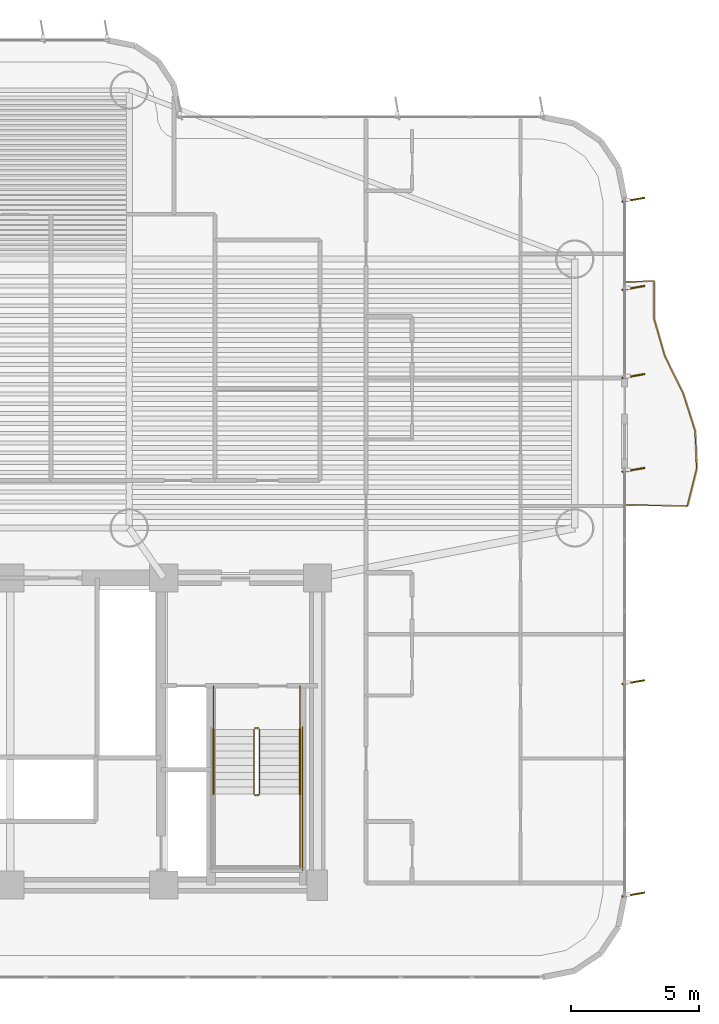
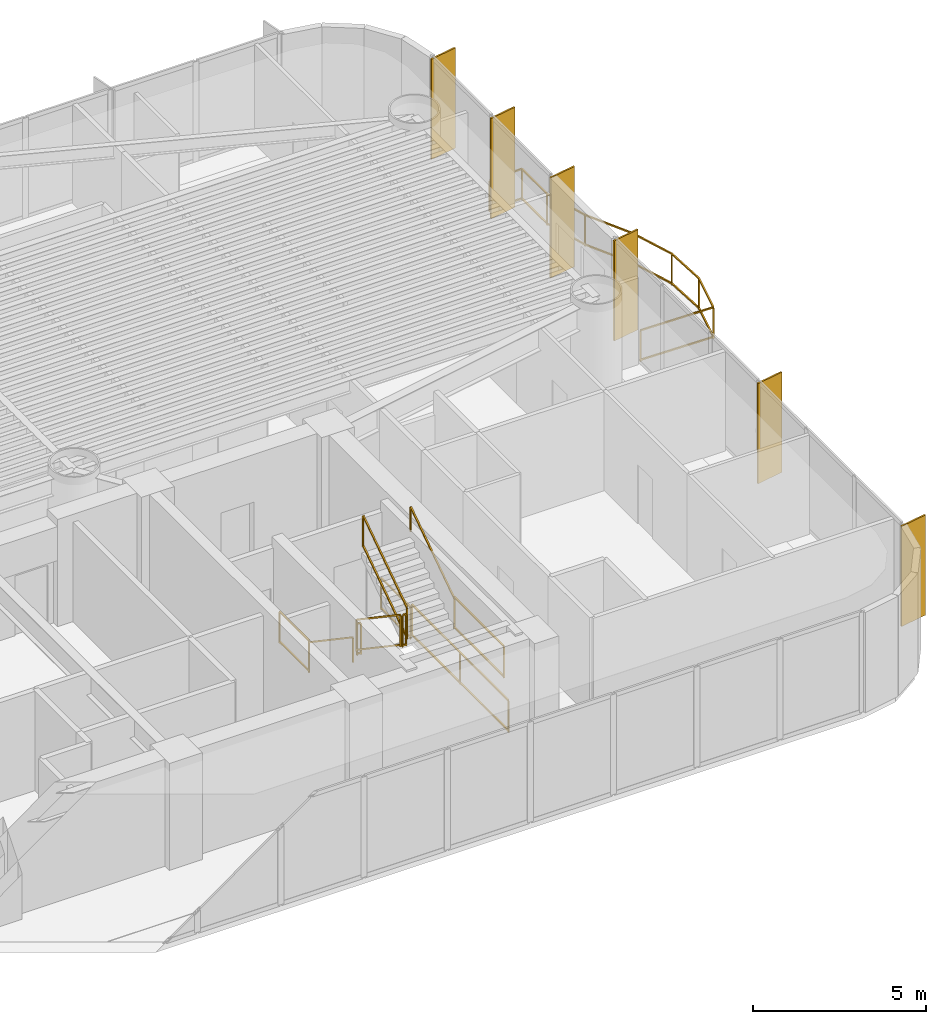
# One storey, part 17 of 18: 11 railings, 6 shading devices.
"""IFC4 building model written with IfcOpenShell, lengths in metres."""

from ifc_helpers import new_model, si_unit, direction, frame, origin, origin_2d, place, context, subcontext, project, spatial, rectangle, extrude, source, transform, mapped, material, layer, layer_set, material_profile, profile_set, type_object, element, save


model = new_model("IFC4")

# Units and contexts
model_context = context("Model", 3, precision=1e-05, world=origin(), true_north=direction((0.0, 1.0)))
body_context = subcontext(model_context, "Body", "Model", "MODEL_VIEW")
ifc_project = project(units=[si_unit("LENGTHUNIT", "METRE"), si_unit("AREAUNIT", "SQUARE_METRE"), si_unit("VOLUMEUNIT", "CUBIC_METRE"), si_unit("PLANEANGLEUNIT", "RADIAN"), si_unit("MASSUNIT", "GRAM", prefix="KILO")], contexts=[model_context])

# Site, building, storey
site_placement = place(None, origin())
site = spatial("IfcSite", under=ifc_project, at=site_placement, CompositionType="ELEMENT")
building_placement = place(site_placement, origin())
building = spatial("IfcBuilding", under=site, at=building_placement, Name="Brelvock Crest Care Tower", CompositionType="ELEMENT")
storey_placement = place(building_placement, frame((0.0, 0.0, 72.360107421875)))
storey = spatial("IfcBuildingStorey", under=building, at=storey_placement, Name="L18", CompositionType="ELEMENT", Elevation=72.360107421875)

# Railings
ifc_material_1 = material(Name="Dark Glass Double Glazed Low-E", Category="glass")
ifc_layer_1 = layer(ifc_material_1, 0.06005859375, Name="RL-BAL1")
ifc_layer_set_1 = layer_set([ifc_layer_1], Name="Dark Glass Double Glazed Low-E")
railing_type_1 = type_object("IfcRailingType", Name="RL-BAL1", PredefinedType="BALUSTRADE", material=ifc_layer_set_1)
railing_1_placement = place(storey_placement, frame((60.0400390625, 20.85009765625, 0.00390625)))
element("IfcRailing", 1, at=railing_1_placement, inside=storey, type_object=railing_type_1, Name="L18 Safety Balustrade WB-E", PredefinedType="BALUSTRADE", context=body_context, shape_type="SweptSolid", body=[
    extrude(rectangle(XDim=0.048095703125, YDim=0.048095703125, at=origin_2d()), frame((0.001953125, 0.0, 1.09619140625), z_axis=(0.999783452903, -0.020809788592, 0.0), x_axis=(0.020809788592, 0.999783452903, 0.0)), (0.0, 0.0, 1.0), 2.401123046875),
    extrude(rectangle(XDim=0.048095703125, YDim=0.048095703125, at=origin_2d()), frame((0.001953125, 0.0, 0.054931640625), z_axis=(0.999783452903, -0.020809788592, 0.0), x_axis=(0.020809788592, 0.999783452903, 0.0)), (0.0, 0.0, 1.0), 2.401123046875),
    extrude(rectangle(XDim=0.048095703125, YDim=0.048095703125, at=origin_2d()), frame((2.405029296875, -0.048095703125, 1.09619140625), z_axis=(0.242117552355, 0.970246922614, 0.0), x_axis=(-0.970246922614, 0.242117552355, 0.0)), (0.0, 0.0, 1.0), 1.507568359375),
    extrude(rectangle(XDim=0.048095703125, YDim=0.048095703125, at=origin_2d()), frame((2.405029296875, -0.048095703125, 0.054931640625), z_axis=(0.242117552355, 0.970246922614, 0.0), x_axis=(-0.970246922614, 0.242117552355, 0.0)), (0.0, 0.0, 1.0), 1.507568359375),
    extrude(rectangle(XDim=0.048095703125, YDim=0.048095703125, at=origin_2d()), frame((2.7705078125, 1.41845703125, 1.09619140625), z_axis=(-0.041077151543, 0.999155977624, 0.0), x_axis=(-0.999155977624, -0.041077151543, 0.0)), (0.0, 0.0, 1.0), 1.464111328125),
    extrude(rectangle(XDim=0.048095703125, YDim=0.048095703125, at=origin_2d()), frame((2.7705078125, 1.41845703125, 0.054931640625), z_axis=(-0.041077151543, 0.999155977624, 0.0), x_axis=(-0.999155977624, -0.041077151543, 0.0)), (0.0, 0.0, 1.0), 1.464111328125),
    extrude(rectangle(XDim=0.048095703125, YDim=0.048095703125, at=origin_2d()), frame((2.709716796875, 2.88525390625, 1.09619140625), z_axis=(-0.303301869787, 0.952894525005, 0.0), x_axis=(-0.952894525005, -0.303301869787, 0.0)), (0.0, 0.0, 1.0), 1.53515625),
    extrude(rectangle(XDim=0.048095703125, YDim=0.048095703125, at=origin_2d()), frame((2.709716796875, 2.88525390625, 0.054931640625), z_axis=(-0.303301869787, 0.952894525005, 0.0), x_axis=(-0.952894525005, -0.303301869787, 0.0)), (0.0, 0.0, 1.0), 1.53515625),
    extrude(rectangle(XDim=0.048095703125, YDim=0.048095703125, at=origin_2d()), frame((2.242431640625, 4.3515625, 1.09619140625), z_axis=(-0.441950250365, 0.897039562228, 0.0), x_axis=(-0.897039562228, -0.441950250365, 0.0)), (0.0, 0.0, 1.0), 1.631103515625),
    extrude(rectangle(XDim=0.048095703125, YDim=0.048095703125, at=origin_2d()), frame((2.242431640625, 4.3515625, 0.054931640625), z_axis=(-0.441950250365, 0.897039562228, 0.0), x_axis=(-0.897039562228, -0.441950250365, 0.0)), (0.0, 0.0, 1.0), 1.631103515625),
    extrude(rectangle(XDim=0.048095703125, YDim=0.048095703125, at=origin_2d()), frame((1.520263671875, 5.818603515625, 1.09619140625), z_axis=(-0.275862158138, 0.96119720646, 0.0), x_axis=(-0.96119720646, -0.275862158138, 0.0)), (0.0, 0.0, 1.0), 1.521728515625),
    extrude(rectangle(XDim=0.048095703125, YDim=0.048095703125, at=origin_2d()), frame((1.520263671875, 5.818603515625, 0.054931640625), z_axis=(-0.275862158138, 0.96119720646, 0.0), x_axis=(-0.96119720646, -0.275862158138, 0.0)), (0.0, 0.0, 1.0), 1.521728515625),
    extrude(rectangle(XDim=0.048095703125, YDim=0.048095703125, at=origin_2d()), frame((1.099853515625, 7.28515625, 1.09619140625), z_axis=(0.0, 1.0, 0.0), x_axis=(-1.0, 0.0, 0.0)), (0.0, 0.0, 1.0), 1.462890625),
    extrude(rectangle(XDim=0.048095703125, YDim=0.048095703125, at=origin_2d()), frame((1.099853515625, 7.28515625, 0.054931640625), z_axis=(0.0, 1.0, 0.0), x_axis=(-1.0, 0.0, 0.0)), (0.0, 0.0, 1.0), 1.462890625),
    extrude(rectangle(XDim=0.048095703125, YDim=0.048095703125, at=origin_2d()), frame((1.097900390625, 8.75, 1.09619140625), z_axis=(-0.998966252902, -0.045457953795, 0.0), x_axis=(0.045457953795, -0.998966252902, 0.0)), (0.0, 0.0, 1.0), 1.096923828125),
    extrude(rectangle(XDim=0.048095703125, YDim=0.048095703125, at=origin_2d()), frame((1.097900390625, 8.75, 0.054931640625), z_axis=(-0.998966252902, -0.045457953795, 0.0), x_axis=(0.045457953795, -0.998966252902, 0.0)), (0.0, 0.0, 1.0), 1.096923828125),
    extrude(rectangle(XDim=0.0419921875, YDim=0.0419921875, at=origin_2d()), origin(), (0.0, 0.0, 1.0), 1.070068359375),
    extrude(rectangle(XDim=0.0419921875, YDim=0.0419921875, at=origin_2d()), frame((2.404541015625, -0.050048828125, 0.0)), (0.0, 0.0, 1.0), 1.070068359375),
    extrude(rectangle(XDim=0.0419921875, YDim=0.0419921875, at=origin_2d()), frame((2.7705078125, 1.41650390625, 0.0)), (0.0, 0.0, 1.0), 1.070068359375),
    extrude(rectangle(XDim=0.0419921875, YDim=0.0419921875, at=origin_2d()), frame((2.710205078125, 2.88330078125, 0.0)), (0.0, 0.0, 1.0), 1.070068359375),
    extrude(rectangle(XDim=0.0419921875, YDim=0.0419921875, at=origin_2d()), frame((2.243408203125, 4.349853515625, 0.0)), (0.0, 0.0, 1.0), 1.070068359375),
    extrude(rectangle(XDim=0.0419921875, YDim=0.0419921875, at=origin_2d()), frame((1.520751953125, 5.816650390625, 0.0)), (0.0, 0.0, 1.0), 1.070068359375),
    extrude(rectangle(XDim=0.0419921875, YDim=0.0419921875, at=origin_2d()), frame((1.099853515625, 7.283203125, 0.0)), (0.0, 0.0, 1.0), 1.070068359375),
    extrude(rectangle(XDim=0.0419921875, YDim=0.0419921875, at=origin_2d()), frame((1.099853515625, 8.75, 0.0)), (0.0, 0.0, 1.0), 1.070068359375),
    extrude(rectangle(XDim=0.0419921875, YDim=0.0419921875, at=origin_2d()), frame((0.0, 8.699951171875, 0.0)), (0.0, 0.0, 1.0), 1.070068359375),
])
ifc_material_2 = material(Name="Steel Grade 350", Category="steel")
ifc_layer_2 = layer(ifc_material_2, 0.050048828125, Name="RL-STG1")
ifc_layer_set_2 = layer_set([ifc_layer_2], Name="Steel Grade 350")
railing_type_2 = type_object("IfcRailingType", Name="RL-STG1", PredefinedType="GUARDRAIL", material=ifc_layer_set_2)
railing_2_placement = place(storey_placement, frame((45.52001953125, 12.080078125, 0.18896484375)))
element("IfcRailing", 2, at=railing_2_placement, inside=storey, type_object=railing_type_2, Name="L18 ST-2 stair guard 1", PredefinedType="GUARDRAIL", context=body_context, shape_type="SweptSolid", body=[
    extrude(rectangle(XDim=0.048095703125, YDim=0.048095703125, at=origin_2d()), frame((0.0, -0.001708984375, 1.116943359375), z_axis=(0.0, -0.828861706735, 0.559453546873), x_axis=(1.0, 0.0, 0.0)), (0.0, 0.0, 1.0), 3.036376953125),
    extrude(rectangle(XDim=0.048095703125, YDim=0.048095703125, at=origin_2d()), frame((0.0, -0.001708984375, 0.05615234375), z_axis=(0.0, -0.828861706735, 0.559453546873), x_axis=(1.0, 0.0, 0.0)), (0.0, 0.0, 1.0), 3.036376953125),
    extrude(rectangle(XDim=0.0419921875, YDim=0.0419921875, at=origin_2d()), origin(), (0.0, 0.0, 1.0), 1.08984375),
    extrude(rectangle(XDim=0.0419921875, YDim=0.0419921875, at=origin_2d()), frame((0.0, -2.52001953125, 1.700927734375)), (0.0, 0.0, 1.0), 1.08984375),
])
railing_3_placement = place(storey_placement, frame((45.570068359375, 9.510009765625, 1.889892578125)))
element("IfcRailing", 3, at=railing_3_placement, inside=storey, type_object=railing_type_2, Name="L18 ST-2 stair guard 2", PredefinedType="GUARDRAIL", context=body_context, shape_type="SweptSolid", body=[
    extrude(rectangle(XDim=0.048095703125, YDim=0.048095703125, at=origin_2d()), frame((0.001953125, 0.0, 1.11572265625), z_axis=(1.0, 0.0, 0.0), x_axis=(0.0, 1.0, 0.0)), (0.0, 0.0, 1.0), 0.115966796875),
    extrude(rectangle(XDim=0.048095703125, YDim=0.048095703125, at=origin_2d()), frame((0.001953125, 0.0, 0.054931640625), z_axis=(1.0, 0.0, 0.0), x_axis=(0.0, 1.0, 0.0)), (0.0, 0.0, 1.0), 0.115966796875),
    extrude(rectangle(XDim=0.0419921875, YDim=0.0419921875, at=origin_2d()), origin(), (0.0, 0.0, 1.0), 1.08984375),
    extrude(rectangle(XDim=0.0419921875, YDim=0.0419921875, at=origin_2d()), frame((0.119873046875, 0.0, 0.0)), (0.0, 0.0, 1.0), 1.08984375),
])
railing_4_placement = place(storey_placement, frame((47.320068359375, 9.56005859375, 1.889892578125)))
element("IfcRailing", 4, at=railing_4_placement, inside=storey, type_object=railing_type_2, Name="L18 ST-2 stair guard 4", PredefinedType="GUARDRAIL", context=body_context, shape_type="SweptSolid", body=[
    extrude(rectangle(XDim=0.048095703125, YDim=0.048095703125, at=origin_2d()), frame((0.0, -0.001953125, 1.11572265625), z_axis=(0.0, -1.0, 0.0), x_axis=(1.0, 0.0, 0.0)), (0.0, 0.0, 1.0), 2.856201171875),
    extrude(rectangle(XDim=0.048095703125, YDim=0.048095703125, at=origin_2d()), frame((0.0, -0.001953125, 0.054931640625), z_axis=(0.0, -1.0, 0.0), x_axis=(1.0, 0.0, 0.0)), (0.0, 0.0, 1.0), 2.856201171875),
    extrude(rectangle(XDim=0.0419921875, YDim=0.0419921875, at=origin_2d()), origin(), (0.0, 0.0, 1.0), 1.08984375),
    extrude(rectangle(XDim=0.0419921875, YDim=0.0419921875, at=origin_2d()), frame((0.0, -2.860107421875, 0.0)), (0.0, 0.0, 1.0), 1.08984375),
])
railing_5_placement = place(storey_placement, frame((45.739990234375, 9.56005859375, 2.078857421875)))
element("IfcRailing", 5, at=railing_5_placement, inside=storey, type_object=railing_type_2, Name="L18 ST-2 stair guard 6", PredefinedType="GUARDRAIL", context=body_context, shape_type="SweptSolid", body=[
    extrude(rectangle(XDim=0.048095703125, YDim=0.048095703125, at=origin_2d()), frame((0.0, 0.001708984375, 1.116943359375), z_axis=(0.0, 0.828861706735, 0.559453546873), x_axis=(-1.0, 0.0, 0.0)), (0.0, 0.0, 1.0), 3.036376953125),
    extrude(rectangle(XDim=0.048095703125, YDim=0.048095703125, at=origin_2d()), frame((0.0, 0.001708984375, 0.05615234375), z_axis=(0.0, 0.828861706735, 0.559453546873), x_axis=(-1.0, 0.0, 0.0)), (0.0, 0.0, 1.0), 3.036376953125),
    extrude(rectangle(XDim=0.0419921875, YDim=0.0419921875, at=origin_2d()), origin(), (0.0, 0.0, 1.0), 1.08984375),
    extrude(rectangle(XDim=0.0419921875, YDim=0.0419921875, at=origin_2d()), frame((0.0, 2.52001953125, 1.700927734375)), (0.0, 0.0, 1.0), 1.08984375),
])
railing_6_placement = place(storey_placement, frame((45.570068359375, 12.1298828125, 0.0)))
element("IfcRailing", 6, at=railing_6_placement, inside=storey, type_object=railing_type_2, Name="L18 ST-2 stair guard 7", PredefinedType="GUARDRAIL", context=body_context, shape_type="SweptSolid", body=[
    extrude(rectangle(XDim=0.048095703125, YDim=0.048095703125, at=origin_2d()), frame((0.001953125, 0.0, 1.11572265625), z_axis=(1.0, 0.0, 0.0), x_axis=(0.0, 1.0, 0.0)), (0.0, 0.0, 1.0), 0.115966796875),
    extrude(rectangle(XDim=0.048095703125, YDim=0.048095703125, at=origin_2d()), frame((0.001953125, 0.0, 0.054931640625), z_axis=(1.0, 0.0, 0.0), x_axis=(0.0, 1.0, 0.0)), (0.0, 0.0, 1.0), 0.115966796875),
    extrude(rectangle(XDim=0.0419921875, YDim=0.0419921875, at=origin_2d()), origin(), (0.0, 0.0, 1.0), 1.08984375),
    extrude(rectangle(XDim=0.0419921875, YDim=0.0419921875, at=origin_2d()), frame((0.119873046875, 0.0, 0.0)), (0.0, 0.0, 1.0), 1.08984375),
])
for number, where, name in (
    (7, (43.93994140625, 13.780029296875, 0.0), "L18 ST-2 stair guard 8"),
    (8, (47.320068359375, 13.780029296875, 0.0), "L18 ST-2 stair guard 9"),
):
    element("IfcRailing", number, at=place(storey_placement, frame(where)), inside=storey, type_object=railing_type_2, Name=name, PredefinedType="GUARDRAIL", context=body_context, shape_type="SweptSolid", body=[
        extrude(rectangle(XDim=0.048095703125, YDim=0.048095703125, at=origin_2d()), frame((0.0, -0.001953125, 1.11572265625), z_axis=(0.0, -1.0, 0.0), x_axis=(1.0, 0.0, 0.0)), (0.0, 0.0, 1.0), 1.696044921875),
        extrude(rectangle(XDim=0.048095703125, YDim=0.048095703125, at=origin_2d()), frame((0.0, -0.001953125, 0.054931640625), z_axis=(0.0, -1.0, 0.0), x_axis=(1.0, 0.0, 0.0)), (0.0, 0.0, 1.0), 1.696044921875),
        extrude(rectangle(XDim=0.0419921875, YDim=0.0419921875, at=origin_2d()), origin(), (0.0, 0.0, 1.0), 1.08984375),
        extrude(rectangle(XDim=0.0419921875, YDim=0.0419921875, at=origin_2d()), frame((0.0, -1.699951171875, 0.0)), (0.0, 0.0, 1.0), 1.08984375),
    ])
railing_7_placement = place(storey_placement, frame((47.419921875, 12.179931640625, 0.0)))
element("IfcRailing", 9, at=railing_7_placement, inside=storey, type_object=railing_type_2, Name="L18 ST-2 stair guard 11", PredefinedType="GUARDRAIL", context=body_context, shape_type="SweptSolid", body=[
    extrude(rectangle(XDim=0.048095703125, YDim=0.048095703125, at=origin_2d()), frame((0.0, -0.001953125, 1.11572265625), z_axis=(0.0, -1.0, 0.0), x_axis=(1.0, 0.0, 0.0)), (0.0, 0.0, 1.0), 5.575927734375),
    extrude(rectangle(XDim=0.048095703125, YDim=0.048095703125, at=origin_2d()), frame((0.0, -0.001953125, 0.054931640625), z_axis=(0.0, -1.0, 0.0), x_axis=(1.0, 0.0, 0.0)), (0.0, 0.0, 1.0), 5.575927734375),
    extrude(rectangle(XDim=0.0419921875, YDim=0.0419921875, at=origin_2d()), origin(), (0.0, 0.0, 1.0), 1.08984375),
    extrude(rectangle(XDim=0.0419921875, YDim=0.0419921875, at=origin_2d()), frame((0.0, -2.7900390625, 0.0)), (0.0, 0.0, 1.0), 1.08984375),
    extrude(rectangle(XDim=0.0419921875, YDim=0.0419921875, at=origin_2d()), frame((0.0, -5.579833984375, 0.0)), (0.0, 0.0, 1.0), 1.08984375),
])
ifc_layer_3 = layer(ifc_material_2, 0.048095703125, Name="RL-STH1")
ifc_layer_set_3 = layer_set([ifc_layer_3], Name="Steel Grade 350")
railing_type_3 = type_object("IfcRailingType", Name="RL-STH1", PredefinedType="HANDRAIL", material=ifc_layer_set_3)
railing_8_placement = place(storey_placement, frame((43.93994140625, 12.080078125, 0.18896484375)))
element("IfcRailing", 10, at=railing_8_placement, inside=storey, type_object=railing_type_3, Name="L18 ST-2 stair handrail 1", PredefinedType="HANDRAIL", context=body_context, shape_type="SweptSolid", body=[
    extrude(rectangle(XDim=0.048095703125, YDim=0.048095703125, at=origin_2d()), frame((0.0, -0.001708984375, 0.876953125), z_axis=(0.0, -0.828861706735, 0.559453546873), x_axis=(1.0, 0.0, 0.0)), (0.0, 0.0, 1.0), 3.036376953125),
    extrude(rectangle(XDim=0.0419921875, YDim=0.0419921875, at=origin_2d()), origin(), (0.0, 0.0, 1.0), 0.849853515625),
    extrude(rectangle(XDim=0.0419921875, YDim=0.0419921875, at=origin_2d()), frame((0.0, -2.52001953125, 1.700927734375)), (0.0, 0.0, 1.0), 0.849853515625),
])
railing_9_placement = place(storey_placement, frame((47.320068359375, 9.56005859375, 2.078857421875)))
element("IfcRailing", 11, at=railing_9_placement, inside=storey, type_object=railing_type_3, Name="L18 ST-2 stair handrail 2", PredefinedType="HANDRAIL", context=body_context, shape_type="SweptSolid", body=[
    extrude(rectangle(XDim=0.048095703125, YDim=0.048095703125, at=origin_2d()), frame((0.0, 0.001708984375, 0.876953125), z_axis=(0.0, 0.828861706735, 0.559453546873), x_axis=(-1.0, 0.0, 0.0)), (0.0, 0.0, 1.0), 3.036376953125),
    extrude(rectangle(XDim=0.0419921875, YDim=0.0419921875, at=origin_2d()), origin(), (0.0, 0.0, 1.0), 0.849853515625),
    extrude(rectangle(XDim=0.0419921875, YDim=0.0419921875, at=origin_2d()), frame((0.0, 2.52001953125, 1.700927734375)), (0.0, 0.0, 1.0), 0.849853515625),
])

# Shading devices
ifc_material_3 = material(Name="Aluminium 6063-T6", Category="aluminium")
ifc_material_profile = material_profile(ifc_material_3, rectangle(XDim=0.054931640625, YDim=0.89990234375, at=origin_2d()), Name="FIN55x900")
ifc_profile_set = profile_set([ifc_material_profile], Name="Aluminium 6063-T6")
shading_device_type = type_object("IfcShadingDeviceType", Name="SHD-FIN1", PredefinedType="USERDEFINED", material=ifc_profile_set)
shared_shape = source(origin(), body_context, "Body", "SweptSolid", [
    extrude(rectangle(XDim=0.054931640625, YDim=0.89990234375, at=origin_2d()), origin(), (0.0, 0.0, 1.0), 3.52978515625),
])
for number, where, z_axis, x_axis, name in (
    (12, (60.340087890625, 32.767578125, 0.0), (0.0, 0.0, 1.0), (0.173648177667, -0.984807753012, 0.0), "L18 Vertical Sunshade Fin E03A-01"),
    (13, (60.340087890625, 29.324951171875, 0.0), (0.0, 0.0, 1.0), (0.173648177667, -0.984807753012, 0.0), "L18 Vertical Sunshade Fin E03A-02"),
    (14, (60.340087890625, 25.882568359375, 0.0), (0.0, 0.0, 1.0), (0.173648177667, -0.984807753012, 0.0), "L18 Vertical Sunshade Fin E03A-03"),
    (15, (60.340087890625, 22.217529296875, 0.0), (0.0, 0.0, 1.0), (0.173648177667, -0.984807753012, 0.0), "L18 Vertical Sunshade Fin E03B-01"),
    (16, (60.340087890625, 13.925048828125, 0.0), (0.0, 0.0, 1.0), (0.173648177667, -0.984807753012, 0.0), "L18 Vertical Sunshade Fin E03B-04"),
    (17, (60.340087890625, 5.632568359375, 0.0), (0.0, 0.0, 1.0), (0.173648177667, -0.984807753012, 0.0), "L18 Vertical Sunshade Fin E03B-07"),
):
    element("IfcShadingDevice", number, at=place(storey_placement, frame(where, z_axis=z_axis, x_axis=x_axis)), inside=storey, type_object=shading_device_type, Name=name, ObjectType="FIN", PredefinedType="USERDEFINED", context=body_context, shape_type="MappedRepresentation", body=[
        mapped(shared_shape, transform((0.0, 0.0, 0.0), x_axis=(1.0, 0.0, 0.0), y_axis=(0.0, 1.0, 0.0), z_axis=(0.0, 0.0, 1.0), scale=1.0)),
    ])

save(model, "model.ifc")
